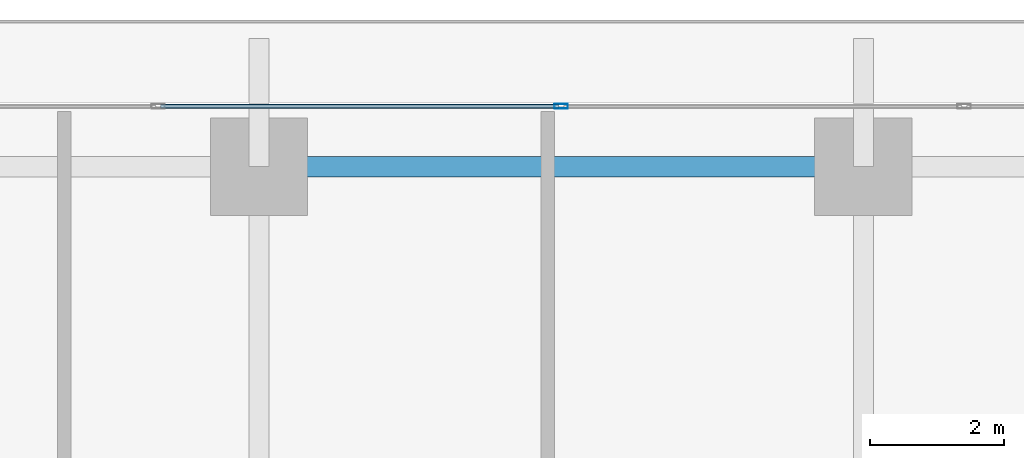
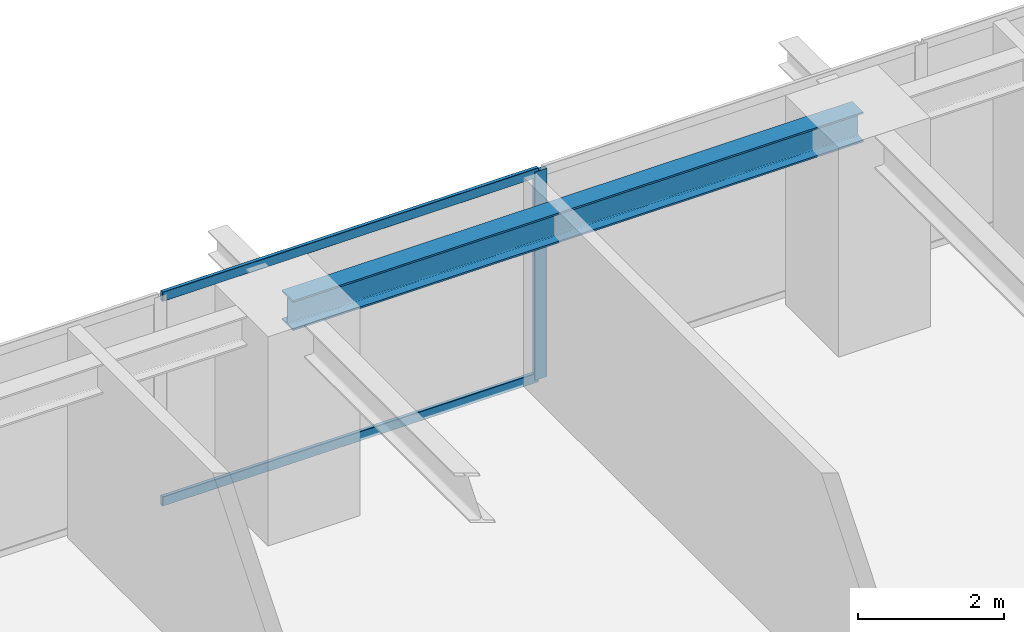
# One storey, part 21 of 41: 3 members, 1 beam, 1 element without a shape of its own.
"""IFC4 building model written with IfcOpenShell, lengths in metres."""

from ifc_helpers import new_model, si_unit, direction, frame, origin, origin_2d, place, context, subcontext, project, spatial, hollow_rectangle, i_section, extrude, source, transform, mapped, material, layer, layer_set, material_profile, profile_set, type_object, element, aggregate, save


model = new_model("IFC4")

# Units and contexts
model_context = context("Model", 3, precision=1e-05, world=origin(), true_north=direction((0.0, 1.0)))
body_context = subcontext(model_context, "Body", "Model", "MODEL_VIEW")
ifc_project = project(units=[si_unit("LENGTHUNIT", "METRE"), si_unit("AREAUNIT", "SQUARE_METRE"), si_unit("VOLUMEUNIT", "CUBIC_METRE"), si_unit("PLANEANGLEUNIT", "RADIAN"), si_unit("MASSUNIT", "GRAM", prefix="KILO")], contexts=[model_context])

# Site, building, storey
site_placement = place(None, origin())
site = spatial("IfcSite", under=ifc_project, at=site_placement, CompositionType="ELEMENT")
building_placement = place(site_placement, origin())
building = spatial("IfcBuilding", under=site, at=building_placement, Name="Serunith Strait Residences", CompositionType="ELEMENT")
storey_placement = place(building_placement, frame((0.0, 0.0, 45.449951171875)))
storey = spatial("IfcBuildingStorey", under=building, at=storey_placement, Name="L10", CompositionType="ELEMENT", Elevation=45.449951171875)

# Beam
ifc_material_1 = material(Name="Steel S355J2", Category="steel")
ifc_material_profile_1 = material_profile(ifc_material_1, i_section(OverallWidth=0.300048828125, OverallDepth=0.5, WebThickness=0.014404296875, FlangeThickness=0.028076171875, FilletRadius=0.027099609375, at=origin_2d()), Name="HEB 500")
ifc_profile_set_1 = profile_set([ifc_material_profile_1], Name="Steel S355J2")
beam_type = type_object("IfcBeamType", Name="BM-HEB500", PredefinedType="BEAM", material=ifc_profile_set_1)
shared_shape_1 = source(origin(), body_context, "Body", "SweptSolid", [
    extrude(i_section(OverallWidth=0.300048828125, OverallDepth=0.5, WebThickness=0.014404296875, FlangeThickness=0.028076171875, FilletRadius=0.027099609375, at=origin_2d()), origin(), (0.0, 0.0, 1.0), 9.0),
])
beam_placement = place(storey_placement, frame((36.89990234375, 49.300048828125, 3.237060546875), z_axis=(-1.0, 0.0, 0.0), x_axis=(0.0, -1.0, 0.0)))
element("IfcBeam", 1, at=beam_placement, inside=storey, type_object=beam_type, Name="L10 Perimeter Ring Beam 10", PredefinedType="BEAM", context=body_context, shape_type="MappedRepresentation", body=[
    mapped(shared_shape_1, transform((0.0, 0.0, 0.0), scale=1.0)),
])

# Curtain wall, members
ifc_material_2 = material(Name="Pale-Champagne Anodised Aluminium", Category="aluminium")
ifc_layer = layer(ifc_material_2, 0.199951171875, Name="Pale-Champagne Anodised Aluminium")
ifc_layer_set = layer_set([ifc_layer], Name="Pale-Champagne Anodised Aluminium")
curtain_wall_type = type_object("IfcCurtainWallType", Name="CW-SYS1", PredefinedType="NOTDEFINED", material=ifc_layer_set)
curtain_wall_placement = place(storey_placement, origin())
curtain_wall = element("IfcCurtainWall", 2, at=curtain_wall_placement, inside=storey, type_object=curtain_wall_type, Name="L10 N Unitised Fritted Curtain Wall", PredefinedType="NOTDEFINED")
ifc_material_profile_2 = material_profile(ifc_material_2, hollow_rectangle(XDim=0.070068359375, YDim=0.199951171875, WallThickness=0.00390625, InnerFilletRadius=0.006103515625, OuterFilletRadius=0.010009765625, at=origin_2d()), Name="ALU 200x70x4")
ifc_profile_set_2 = profile_set([ifc_material_profile_2], Name="Pale-Champagne Anodised Aluminium")
member_type_1 = type_object("IfcMemberType", Name="CW-SYS1-MULL", PredefinedType="MULLION", material=ifc_profile_set_2)
shared_shape_2 = source(origin(), body_context, "Body", "SweptSolid", [
    extrude(hollow_rectangle(XDim=0.070068359375, YDim=0.199951171875, WallThickness=0.00390625, InnerFilletRadius=0.006103515625, OuterFilletRadius=0.010009765625, at=origin_2d()), origin(), (0.0, 0.0, 1.0), 3.47509765625),
])
member_1_placement = place(storey_placement, frame((32.39990234375, 50.199951171875, 0.0), z_axis=(0.0, 0.0, 1.0), x_axis=(0.0, -1.0, 0.0)))
member_1 = element("IfcMember", 3, at=member_1_placement, type_object=member_type_1, Name="CW-1 mullion 4", PredefinedType="MULLION", context=body_context, shape_type="MappedRepresentation", body=[
    mapped(shared_shape_2, transform((0.0, 0.0, 0.0), scale=1.0)),
])
ifc_material_profile_3 = material_profile(ifc_material_2, hollow_rectangle(XDim=0.06005859375, YDim=0.159912109375, WallThickness=0.00341796875, InnerFilletRadius=0.00537109375, OuterFilletRadius=0.0087890625, at=origin_2d()), Name="ALU 160x60x3.5")
ifc_profile_set_3 = profile_set([ifc_material_profile_3], Name="Pale-Champagne Anodised Aluminium")
member_type_2 = type_object("IfcMemberType", Name="CW-SYS1-TRAN", PredefinedType="USERDEFINED", material=ifc_profile_set_3)
shared_shape_3 = source(origin(), body_context, "Body", "SweptSolid", [
    extrude(hollow_rectangle(XDim=0.06005859375, YDim=0.159912109375, WallThickness=0.00341796875, InnerFilletRadius=0.00537109375, OuterFilletRadius=0.0087890625, at=origin_2d()), origin(), (0.0, 0.0, 1.0), 5.929931640625),
])
member_2_placement = place(storey_placement, frame((32.364990234375, 50.199951171875, 0.030029296875), z_axis=(-1.0, 0.0, 0.0), x_axis=(0.0, -1.0, 0.0)))
member_2 = element("IfcMember", 4, at=member_2_placement, type_object=member_type_2, Name="CW-1 transom 4.1", ObjectType="TRANSOM", PredefinedType="USERDEFINED", context=body_context, shape_type="MappedRepresentation", body=[
    mapped(shared_shape_3, transform((0.0, 0.0, 0.0), scale=1.0)),
])
member_3_placement = place(storey_placement, frame((32.364990234375, 50.199951171875, 3.445068359375), z_axis=(-1.0, 0.0, 0.0), x_axis=(0.0, -1.0, 0.0)))
member_3 = element("IfcMember", 5, at=member_3_placement, type_object=member_type_2, Name="CW-1 transom 4.2", ObjectType="TRANSOM", PredefinedType="USERDEFINED", context=body_context, shape_type="MappedRepresentation", body=[
    mapped(shared_shape_3, transform((0.0, 0.0, 0.0), scale=1.0)),
])
aggregate(curtain_wall, [member_1, member_2, member_3])

save(model, "model.ifc")
